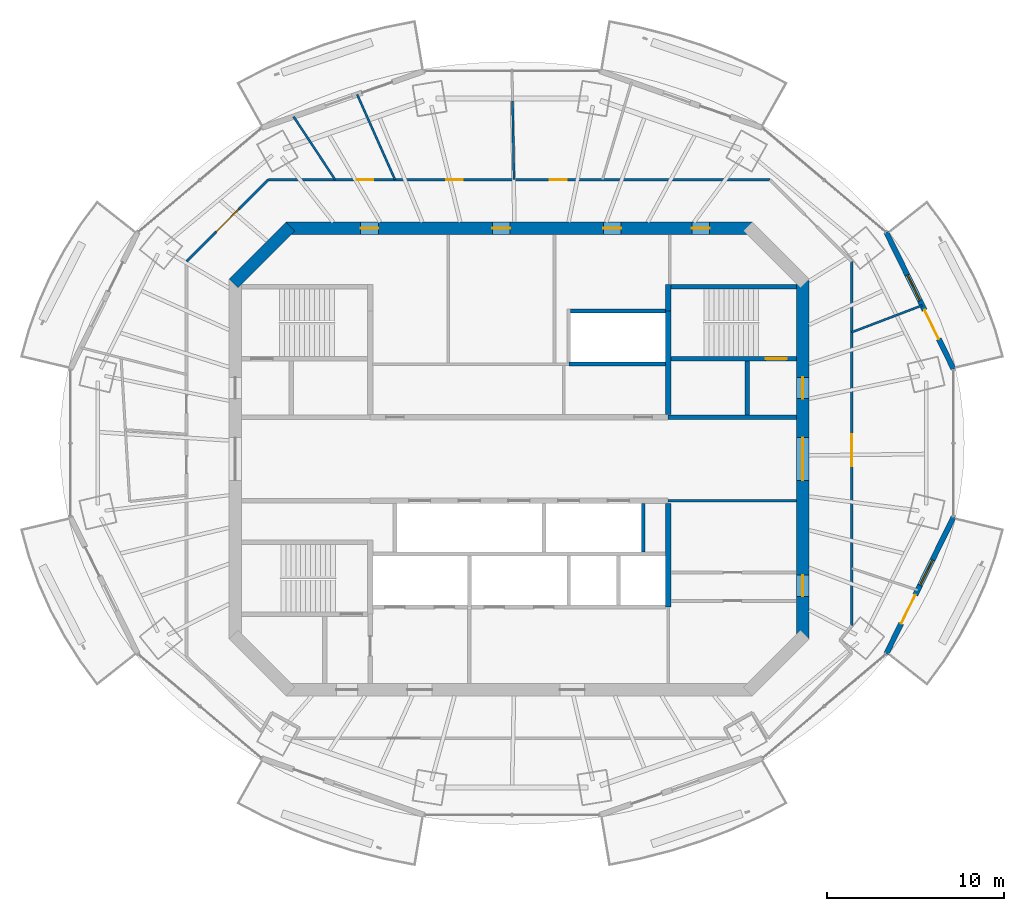
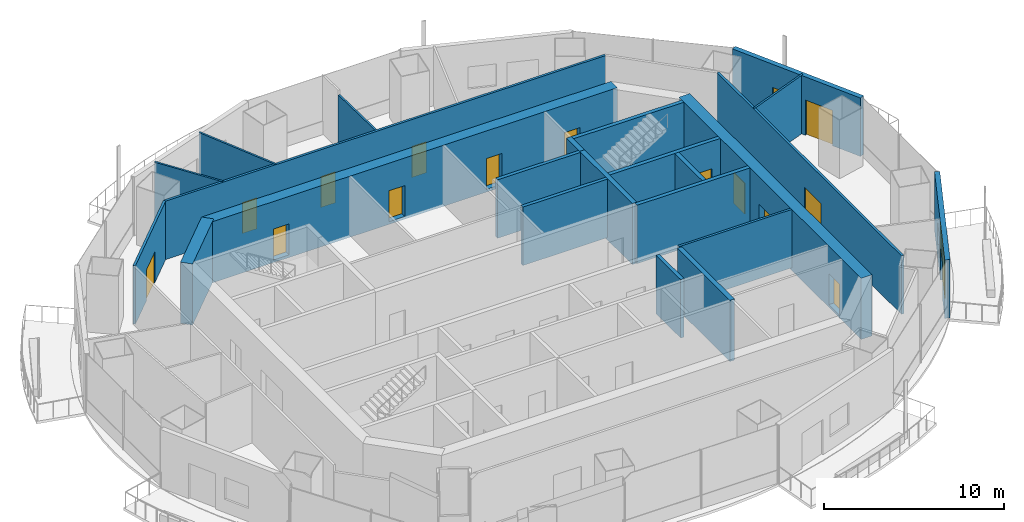
# One storey, part 10 of 15: 23 walls, 15 doors, 2 windows, 17 openings.
"""IFC4 building model written with IfcOpenShell, lengths in metres."""

from ifc_helpers import new_model, si_unit, direction, frame, frame_2d, origin, place, context, subcontext, project, spatial, rectangle, extrude, material, layer, layer_set, type_object, element, fill, save


model = new_model("IFC4")

# Units and contexts
model_context = context("Model", 3, precision=1e-05, world=origin(), true_north=direction((0.0, 1.0)))
body_context = subcontext(model_context, "Body", "Model", "MODEL_VIEW")
ifc_project = project(units=[si_unit("LENGTHUNIT", "METRE"), si_unit("AREAUNIT", "SQUARE_METRE"), si_unit("VOLUMEUNIT", "CUBIC_METRE"), si_unit("PLANEANGLEUNIT", "RADIAN"), si_unit("MASSUNIT", "GRAM", prefix="KILO")], contexts=[model_context])

# Site, building, storey
site_placement = place(None, origin())
site = spatial("IfcSite", under=ifc_project, at=site_placement, CompositionType="ELEMENT")
building_placement = place(site_placement, origin())
building = spatial("IfcBuilding", under=site, at=building_placement, Name="Marenthal Gate Tower", CompositionType="ELEMENT")
storey_placement = place(building_placement, frame((0.0, 0.0, 384.10009765625)))
storey = spatial("IfcBuildingStorey", under=building, at=storey_placement, Name="L87", CompositionType="ELEMENT", Elevation=384.10009765625)

# Wall, openings, doors
ifc_material_1 = material(Name="Concrete 60 MPa", Category="concrete")
ifc_layer_1 = layer(ifc_material_1, 0.699951171875)
ifc_layer_set_1 = layer_set([ifc_layer_1], Name="Core shear wall 700")
wall_type_1 = type_object("IfcWallType", Name="Core shear wall 700", PredefinedType="SHEAR", material=ifc_layer_set_1)
wall_1_placement = place(storey_placement, frame((16.0, -10.14501953125, -0.18017578125), z_axis=(0.0, 0.0, 1.0), x_axis=(0.0, 1.0, 0.0)))
wall_1 = element("IfcWall", 1, at=wall_1_placement, inside=storey, type_object=wall_type_1, Name="Core wall 02", PredefinedType="SHEAR", context=body_context, shape_type="SweptSolid", body=[
    extrude(rectangle(XDim=20.2900390625, YDim=0.699951171875, at=frame_2d((10.14501953125, 0.0))), origin(), (0.0, 0.0, 1.0), 4.150146484375),
])
opening_1_placement = place(wall_1_placement, frame((8.945068359375, 0.0, 0.179931640625)))
opening_1 = element("IfcOpeningElement", 2, at=opening_1_placement, cuts=wall_1, Name="Opening D003.02", PredefinedType="OPENING", context=body_context, shape_type="SweptSolid", body=[
    extrude(rectangle(XDim=2.39990234375, YDim=2.10009765625, at=frame_2d((1.199951171875, 1.050048828125))), frame((0.0, 0.35986328125, 0.0), z_axis=(0.0, -1.0, 0.0), x_axis=(1.0, 0.0, 0.0)), (0.0, 0.0, 1.0), 0.719970703125),
])
opening_2_placement = place(wall_1_placement, frame((13.544921875, 0.0, 0.179931640625)))
opening_2 = element("IfcOpeningElement", 3, at=opening_2_placement, cuts=wall_1, Name="Opening D001.05", PredefinedType="OPENING", context=body_context, shape_type="SweptSolid", body=[
    extrude(rectangle(XDim=1.199951171875, YDim=2.10009765625, at=frame_2d((0.60009765625, 1.050048828125))), frame((0.0, 0.35986328125, 0.0), z_axis=(0.0, -1.0, 0.0), x_axis=(1.0, 0.0, 0.0)), (0.0, 0.0, 1.0), 0.719970703125),
])
opening_3_placement = place(wall_1_placement, frame((2.39990234375, 0.0, 0.179931640625)))
opening_3 = element("IfcOpeningElement", 4, at=opening_3_placement, cuts=wall_1, Name="Opening D006.01", PredefinedType="OPENING", context=body_context, shape_type="SweptSolid", body=[
    extrude(rectangle(XDim=1.199951171875, YDim=2.10009765625, at=frame_2d((0.60009765625, 1.050048828125))), frame((0.0, 0.35986328125, 0.0), z_axis=(0.0, -1.0, 0.0), x_axis=(1.0, 0.0, 0.0)), (0.0, 0.0, 1.0), 0.719970703125),
])
ifc_material_2 = material(Name="Steel fire door", Category="steel")
door_type_1 = type_object("IfcDoorType", Name="Double fire door FD 45 2400 x 2100", OperationType="DOUBLE_DOOR_SINGLE_SWING", PredefinedType="DOOR", material=ifc_material_2)
door_1_placement = place(opening_1_placement, origin())
door_1 = element("IfcDoor", 5, at=door_1_placement, inside=storey, type_object=door_type_1, Name="Door D003.02", OperationType="DOUBLE_DOOR_SINGLE_SWING", OverallHeight=2.10009765625, OverallWidth=2.39990234375, PredefinedType="DOOR", context=body_context, shape_type="SweptSolid", body=[
    extrude(rectangle(XDim=2.39990234375, YDim=2.10009765625, at=frame_2d((1.199951171875, 1.050048828125))), frame((0.0, 0.02490234375, 0.0), z_axis=(0.0, -1.0, 0.0), x_axis=(1.0, 0.0, 0.0)), (0.0, 0.0, 1.0), 0.050048828125),
])
fill(opening_1, door_1)
ifc_material_3 = material(Name="Steel fire door", Category="steel")
door_type_2 = type_object("IfcDoorType", Name="Fire door FD 45 1200 x 2100", OperationType="NOTDEFINED", PredefinedType="DOOR", material=ifc_material_3)
door_2_placement = place(opening_3_placement, origin())
door_2 = element("IfcDoor", 6, at=door_2_placement, inside=storey, type_object=door_type_2, Name="Door D006.01", OperationType="SINGLE_SWING_RIGHT", OverallHeight=2.10009765625, OverallWidth=1.199951171875, PredefinedType="DOOR", context=body_context, shape_type="SweptSolid", body=[
    extrude(rectangle(XDim=1.199951171875, YDim=2.10009765625, at=frame_2d((0.60009765625, 1.050048828125))), frame((0.0, 0.02490234375, 0.0), z_axis=(0.0, -1.0, 0.0), x_axis=(1.0, 0.0, 0.0)), (0.0, 0.0, 1.0), 0.050048828125),
])
fill(opening_3, door_2)
ifc_material_4 = material(Name="Steel fire door", Category="steel")
door_type_3 = type_object("IfcDoorType", Name="Fire door FD 90 1200 x 2100", OperationType="NOTDEFINED", PredefinedType="DOOR", material=ifc_material_4)
door_3_placement = place(opening_2_placement, origin())
door_3 = element("IfcDoor", 7, at=door_3_placement, inside=storey, type_object=door_type_3, Name="Door D001.05", OperationType="SINGLE_SWING_RIGHT", OverallHeight=2.10009765625, OverallWidth=1.199951171875, PredefinedType="DOOR", context=body_context, shape_type="SweptSolid", body=[
    extrude(rectangle(XDim=1.199951171875, YDim=2.10009765625, at=frame_2d((0.60009765625, 1.050048828125))), frame((0.0, 0.02490234375, 0.0), z_axis=(0.0, -1.0, 0.0), x_axis=(1.0, 0.0, 0.0)), (0.0, 0.0, 1.0), 0.050048828125),
])
fill(opening_2, door_3)

wall_2_placement = place(storey_placement, frame((13.14501953125, 13.0, -0.18017578125), z_axis=(0.0, 0.0, 1.0), x_axis=(-1.0, 0.0, 0.0)))
wall_2 = element("IfcWall", 8, at=wall_2_placement, inside=storey, type_object=wall_type_1, Name="Core wall 04", PredefinedType="SHEAR", context=body_context, shape_type="SweptSolid", body=[
    extrude(rectangle(XDim=26.2900390625, YDim=0.699951171875, at=frame_2d((13.14501953125, 0.0))), origin(), (0.0, 0.0, 1.0), 4.150146484375),
])
opening_4_placement = place(wall_2_placement, frame((21.07275390625, 0.0, 0.179931640625)))
opening_4 = element("IfcOpeningElement", 9, at=opening_4_placement, cuts=wall_2, Name="Opening D005.03", PredefinedType="OPENING", context=body_context, shape_type="SweptSolid", body=[
    extrude(rectangle(XDim=1.0, YDim=2.10009765625, at=frame_2d((0.5, 1.050048828125))), frame((0.0, 0.35986328125, 0.0), z_axis=(0.0, -1.0, 0.0), x_axis=(1.0, 0.0, 0.0)), (0.0, 0.0, 1.0), 0.719970703125),
])
opening_5_placement = place(wall_2_placement, frame((13.64501953125, 0.0, 0.179931640625)))
opening_5 = element("IfcOpeningElement", 10, at=opening_5_placement, cuts=wall_2, Name="Opening D005.04", PredefinedType="OPENING", context=body_context, shape_type="SweptSolid", body=[
    extrude(rectangle(XDim=1.0, YDim=2.10009765625, at=frame_2d((0.5, 1.050048828125))), frame((0.0, 0.35986328125, 0.0), z_axis=(0.0, -1.0, 0.0), x_axis=(1.0, 0.0, 0.0)), (0.0, 0.0, 1.0), 0.719970703125),
])
opening_6_placement = place(wall_2_placement, frame((7.39501953125, 0.0, 0.179931640625)))
opening_6 = element("IfcOpeningElement", 11, at=opening_6_placement, cuts=wall_2, Name="Opening D005.05", PredefinedType="OPENING", context=body_context, shape_type="SweptSolid", body=[
    extrude(rectangle(XDim=1.0, YDim=2.10009765625, at=frame_2d((0.5, 1.050048828125))), frame((0.0, 0.35986328125, 0.0), z_axis=(0.0, -1.0, 0.0), x_axis=(1.0, 0.0, 0.0)), (0.0, 0.0, 1.0), 0.719970703125),
])
opening_7_placement = place(wall_2_placement, frame((2.39990234375, 0.0, 0.179931640625)))
opening_7 = element("IfcOpeningElement", 12, at=opening_7_placement, cuts=wall_2, Name="Opening D005.06", PredefinedType="OPENING", context=body_context, shape_type="SweptSolid", body=[
    extrude(rectangle(XDim=1.0, YDim=2.10009765625, at=frame_2d((0.5, 1.050048828125))), frame((0.0, 0.35986328125, 0.0), z_axis=(0.0, -1.0, 0.0), x_axis=(1.0, 0.0, 0.0)), (0.0, 0.0, 1.0), 0.719970703125),
])
ifc_material_5 = material(Name="Steel fire door", Category="steel")
door_type_4 = type_object("IfcDoorType", Name="Fire door FD 45 1000 x 2100", OperationType="NOTDEFINED", PredefinedType="DOOR", material=ifc_material_5)
door_4_placement = place(opening_4_placement, origin())
door_4 = element("IfcDoor", 13, at=door_4_placement, inside=storey, type_object=door_type_4, Name="Door D005.03", OperationType="SINGLE_SWING_RIGHT", OverallHeight=2.10009765625, OverallWidth=1.0, PredefinedType="DOOR", context=body_context, shape_type="SweptSolid", body=[
    extrude(rectangle(XDim=1.0, YDim=2.10009765625, at=frame_2d((0.5, 1.050048828125))), frame((0.0, 0.02490234375, 0.0), z_axis=(0.0, -1.0, 0.0), x_axis=(1.0, 0.0, 0.0)), (0.0, 0.0, 1.0), 0.050048828125),
])
fill(opening_4, door_4)
door_5_placement = place(opening_5_placement, origin())
door_5 = element("IfcDoor", 14, at=door_5_placement, inside=storey, type_object=door_type_4, Name="Door D005.04", OperationType="SINGLE_SWING_RIGHT", OverallHeight=2.10009765625, OverallWidth=1.0, PredefinedType="DOOR", context=body_context, shape_type="SweptSolid", body=[
    extrude(rectangle(XDim=1.0, YDim=2.10009765625, at=frame_2d((0.5, 1.050048828125))), frame((0.0, 0.02490234375, 0.0), z_axis=(0.0, -1.0, 0.0), x_axis=(1.0, 0.0, 0.0)), (0.0, 0.0, 1.0), 0.050048828125),
])
fill(opening_5, door_5)
door_6_placement = place(opening_6_placement, origin())
door_6 = element("IfcDoor", 15, at=door_6_placement, inside=storey, type_object=door_type_4, Name="Door D005.05", OperationType="SINGLE_SWING_RIGHT", OverallHeight=2.10009765625, OverallWidth=1.0, PredefinedType="DOOR", context=body_context, shape_type="SweptSolid", body=[
    extrude(rectangle(XDim=1.0, YDim=2.10009765625, at=frame_2d((0.5, 1.050048828125))), frame((0.0, 0.02490234375, 0.0), z_axis=(0.0, -1.0, 0.0), x_axis=(1.0, 0.0, 0.0)), (0.0, 0.0, 1.0), 0.050048828125),
])
fill(opening_6, door_6)
door_7_placement = place(opening_7_placement, origin())
door_7 = element("IfcDoor", 16, at=door_7_placement, inside=storey, type_object=door_type_4, Name="Door D005.06", OperationType="SINGLE_SWING_RIGHT", OverallHeight=2.10009765625, OverallWidth=1.0, PredefinedType="DOOR", context=body_context, shape_type="SweptSolid", body=[
    extrude(rectangle(XDim=1.0, YDim=2.10009765625, at=frame_2d((0.5, 1.050048828125))), frame((0.0, 0.02490234375, 0.0), z_axis=(0.0, -1.0, 0.0), x_axis=(1.0, 0.0, 0.0)), (0.0, 0.0, 1.0), 0.050048828125),
])
fill(opening_7, door_7)

# Walls
wall_3_placement = place(storey_placement, frame((-12.8974609375, 13.1025390625, -0.18017578125), z_axis=(0.0, 0.0, 1.0), x_axis=(-0.707106781187, -0.707106781187, 0.0)))
element("IfcWall", 17, at=wall_3_placement, inside=storey, type_object=wall_type_1, Name="Core wall 05", PredefinedType="SHEAR", context=body_context, shape_type="SweptSolid", body=[
    extrude(rectangle(XDim=4.53271484375, YDim=0.699951171875, at=frame_2d((2.266357421875, 0.0))), origin(), (0.0, 0.0, 1.0), 4.150146484375),
])
ifc_material_6 = material(Name="Concrete 50 MPa", Category="concrete")
ifc_layer_2 = layer(ifc_material_6, 0.300048828125)
ifc_layer_set_2 = layer_set([ifc_layer_2], Name="Hoistway shear wall 300")
wall_type_2 = type_object("IfcWallType", Name="Hoistway shear wall 300", PredefinedType="SHEAR", material=ifc_layer_set_2)
for number, where, z_axis, x_axis, name in (
    (18, (8.39990234375, -8.35009765625, -0.18017578125), (0.0, 0.0, 1.0), (0.0, 1.0, 0.0), "Hoistway wall 47"),
    (19, (8.39990234375, 2.5, -0.18017578125), (0.0, 0.0, 1.0), (0.0, 1.0, 0.0), "Hoistway wall 48"),
):
    element("IfcWall", number, at=place(storey_placement, frame(where, z_axis=z_axis, x_axis=x_axis)), inside=storey, type_object=wall_type_2, Name=name, PredefinedType="SHEAR", context=body_context, shape_type="SweptSolid", body=[
        extrude(rectangle(XDim=5.85009765625, YDim=0.300048828125, at=frame_2d((2.925048828125, 0.0))), origin(), (0.0, 0.0, 1.0), 4.150146484375),
    ])
ifc_material_7 = material(Name="Concrete 40 MPa", Category="concrete")
ifc_layer_3 = layer(ifc_material_7, 0.219970703125)
ifc_layer_set_3 = layer_set([ifc_layer_3], Name="Hoistway wall 220")
wall_type_3 = type_object("IfcWallType", Name="Hoistway wall 220", PredefinedType="STANDARD", material=ifc_layer_set_3)
wall_4_placement = place(storey_placement, frame((2.800048828125, 5.35009765625, 0.0), z_axis=(0.0, 0.0, 1.0), x_axis=(1.0, 0.0, 0.0)))
element("IfcWall", 20, at=wall_4_placement, inside=storey, type_object=wall_type_3, Name="Hoistway wall 23", PredefinedType="STANDARD", context=body_context, shape_type="SweptSolid", body=[
    extrude(rectangle(XDim=5.449951171875, YDim=0.219970703125, at=frame_2d((2.72509765625, 0.0))), origin(), (0.0, 0.0, 1.0), 3.969970703125),
])
wall_5_placement = place(storey_placement, frame((2.909912109375, 8.35009765625, 0.0), z_axis=(0.0, 0.0, 1.0), x_axis=(1.0, 0.0, 0.0)))
element("IfcWall", 21, at=wall_5_placement, inside=storey, type_object=wall_type_3, Name="Hoistway wall 26", PredefinedType="STANDARD", context=body_context, shape_type="SweptSolid", body=[
    extrude(rectangle(XDim=5.340087890625, YDim=0.219970703125, at=frame_2d((2.669921875, 0.0))), origin(), (0.0, 0.0, 1.0), 3.969970703125),
])
wall_6_placement = place(storey_placement, frame((7.0, -5.239990234375, 0.0), z_axis=(0.0, 0.0, 1.0), x_axis=(0.0, 1.0, 0.0)))
element("IfcWall", 22, at=wall_6_placement, inside=storey, type_object=wall_type_3, Name="Hoistway wall 45", PredefinedType="STANDARD", context=body_context, shape_type="SweptSolid", body=[
    extrude(rectangle(XDim=2.739990234375, YDim=0.219970703125, at=frame_2d((1.3701171875, 0.0))), origin(), (0.0, 0.0, 1.0), 3.969970703125),
])
ifc_material_8 = material(Name="Gypsum board on steel studs", Category="steel")
ifc_layer_4 = layer(ifc_material_8, 0.1201171875)
ifc_layer_set_4 = layer_set([ifc_layer_4], Name="Partition 120")
wall_type_4 = type_object("IfcWallType", Name="Partition 120", PredefinedType="PARTITIONING", material=ifc_layer_set_4)
wall_7_placement = place(storey_placement, frame((-10.37255859375, 15.75, 0.0), z_axis=(0.0, 0.0, 1.0), x_axis=(-0.550014013295, 0.835155425762, 0.0)))
element("IfcWall", 23, at=wall_7_placement, inside=storey, type_object=wall_type_4, Name="Partition wall 63", PredefinedType="PARTITIONING", context=body_context, shape_type="SweptSolid", body=[
    extrude(rectangle(XDim=4.251953125, YDim=0.1201171875, at=frame_2d((2.1259765625, 0.0))), origin(), (0.0, 0.0, 1.0), 3.969970703125),
])
wall_8_placement = place(storey_placement, frame((-6.99560546875, 15.75, 0.0), z_axis=(0.0, 0.0, 1.0), x_axis=(-0.405909939035, 0.913913081968, 0.0)))
element("IfcWall", 24, at=wall_8_placement, inside=storey, type_object=wall_type_4, Name="Partition wall 64", PredefinedType="PARTITIONING", context=body_context, shape_type="SweptSolid", body=[
    extrude(rectangle(XDim=5.25390625, YDim=0.1201171875, at=frame_2d((2.626953125, 0.0))), origin(), (0.0, 0.0, 1.0), 3.969970703125),
])
wall_9_placement = place(storey_placement, frame((-0.2880859375, 15.75, 0.0), z_axis=(0.0, 0.0, 1.0), x_axis=(-0.018290966414, 0.99983270628, 0.0)))
element("IfcWall", 25, at=wall_9_placement, inside=storey, type_object=wall_type_4, Name="Partition wall 65", PredefinedType="PARTITIONING", context=body_context, shape_type="SweptSolid", body=[
    extrude(rectangle(XDim=4.431396484375, YDim=0.1201171875, at=frame_2d((2.2158203125, 0.0))), origin(), (0.0, 0.0, 1.0), 3.659912109375),
])
wall_10_placement = place(storey_placement, frame((18.75, 7.14501953125, 0.0), z_axis=(0.0, 0.0, 1.0), x_axis=(0.934470468692, 0.35604064816, 0.0)))
element("IfcWall", 26, at=wall_10_placement, inside=storey, type_object=wall_type_4, Name="Partition wall 76", PredefinedType="PARTITIONING", context=body_context, shape_type="SweptSolid", body=[
    extrude(rectangle(XDim=4.256103515625, YDim=0.1201171875, at=frame_2d((2.1279296875, 0.0))), origin(), (0.0, 0.0, 1.0), 3.969970703125),
])
ifc_material_9 = material(Name="Gypsum board on steel studs", Category="steel")
ifc_layer_5 = layer(ifc_material_9, 0.14990234375)
ifc_layer_set_5 = layer_set([ifc_layer_5], Name="Partition 150")
wall_type_5 = type_object("IfcWallType", Name="Partition 150", PredefinedType="PARTITIONING", material=ifc_layer_set_5)
wall_11_placement = place(storey_placement, frame((8.39990234375, -2.35009765625, 0.0), z_axis=(0.0, 0.0, 1.0), x_axis=(1.0, 0.0, 0.0)))
element("IfcWall", 27, at=wall_11_placement, inside=storey, type_object=wall_type_5, Name="Partition wall 18", PredefinedType="PARTITIONING", context=body_context, shape_type="SweptSolid", body=[
    extrude(rectangle(XDim=7.25, YDim=0.14990234375, at=frame_2d((3.625, 0.0))), origin(), (0.0, 0.0, 1.0), 3.969970703125),
])

# Wall, opening, door
wall_12_placement = place(storey_placement, frame((-18.75, 11.13916015625, 0.0), z_axis=(0.0, 0.0, 1.0), x_axis=(0.707106781187, 0.707106781187, 0.0)))
wall_12 = element("IfcWall", 28, at=wall_12_placement, inside=storey, type_object=wall_type_5, Name="Partition wall 57", PredefinedType="PARTITIONING", context=body_context, shape_type="SweptSolid", body=[
    extrude(rectangle(XDim=6.520751953125, YDim=0.14990234375, at=frame_2d((3.26025390625, 0.0))), origin(), (0.0, 0.0, 1.0), 3.969970703125),
])
opening_8_placement = place(wall_12_placement, frame((2.360107421875, 0.0, 0.0)))
opening_8 = element("IfcOpeningElement", 29, at=opening_8_placement, cuts=wall_12, Name="Opening D014.01", PredefinedType="OPENING", context=body_context, shape_type="SweptSolid", body=[
    extrude(rectangle(XDim=1.800048828125, YDim=2.10009765625, at=frame_2d((0.89990234375, 1.050048828125))), frame((0.0, 0.0849609375, 0.0), z_axis=(0.0, -1.0, 0.0), x_axis=(1.0, 0.0, 0.0)), (0.0, 0.0, 1.0), 0.169921875),
])
ifc_material_10 = material(Name="Timber door", Category="wood")
door_type_5 = type_object("IfcDoorType", Name="Double door 1800 x 2100", OperationType="DOUBLE_DOOR_SINGLE_SWING", PredefinedType="DOOR", material=ifc_material_10)
door_8_placement = place(opening_8_placement, origin())
door_8 = element("IfcDoor", 30, at=door_8_placement, inside=storey, type_object=door_type_5, Name="Door D014.01", OperationType="DOUBLE_DOOR_SINGLE_SWING", OverallHeight=2.10009765625, OverallWidth=1.800048828125, PredefinedType="DOOR", context=body_context, shape_type="SweptSolid", body=[
    extrude(rectangle(XDim=1.800048828125, YDim=2.10009765625, at=frame_2d((0.89990234375, 1.050048828125))), frame((0.0, 0.02490234375, 0.0), z_axis=(0.0, -1.0, 0.0), x_axis=(1.0, 0.0, 0.0)), (0.0, 0.0, 1.0), 0.050048828125),
])
fill(opening_8, door_8)

# Wall, openings, doors
wall_13_placement = place(storey_placement, frame((-14.13916015625, 15.75, 0.0), z_axis=(0.0, 0.0, 1.0), x_axis=(1.0, 0.0, 0.0)))
wall_13 = element("IfcWall", 31, at=wall_13_placement, inside=storey, type_object=wall_type_5, Name="Partition wall 59", PredefinedType="PARTITIONING", context=body_context, shape_type="SweptSolid", body=[
    extrude(rectangle(XDim=28.2783203125, YDim=0.14990234375, at=frame_2d((14.13916015625, 0.0))), origin(), (0.0, 0.0, 1.0), 3.969970703125),
])
opening_9_placement = place(wall_13_placement, frame((15.87109375, 0.0, 0.0)))
opening_9 = element("IfcOpeningElement", 32, at=opening_9_placement, cuts=wall_13, Name="Opening D016.02", PredefinedType="OPENING", context=body_context, shape_type="SweptSolid", body=[
    extrude(rectangle(XDim=0.949951171875, YDim=2.10009765625, at=frame_2d((0.47509765625, 1.050048828125))), frame((0.0, 0.0849609375, 0.0), z_axis=(0.0, -1.0, 0.0), x_axis=(1.0, 0.0, 0.0)), (0.0, 0.0, 1.0), 0.169921875),
])
opening_10_placement = place(wall_13_placement, frame((10.02197265625, 0.0, 0.0)))
opening_10 = element("IfcOpeningElement", 33, at=opening_10_placement, cuts=wall_13, Name="Opening D016.03", PredefinedType="OPENING", context=body_context, shape_type="SweptSolid", body=[
    extrude(rectangle(XDim=0.949951171875, YDim=2.10009765625, at=frame_2d((0.47509765625, 1.050048828125))), frame((0.0, 0.0849609375, 0.0), z_axis=(0.0, -1.0, 0.0), x_axis=(1.0, 0.0, 0.0)), (0.0, 0.0, 1.0), 0.169921875),
])
opening_11_placement = place(wall_13_placement, frame((4.97998046875, 0.0, 0.0)))
opening_11 = element("IfcOpeningElement", 34, at=opening_11_placement, cuts=wall_13, Name="Opening D016.04", PredefinedType="OPENING", context=body_context, shape_type="SweptSolid", body=[
    extrude(rectangle(XDim=0.949951171875, YDim=2.10009765625, at=frame_2d((0.47509765625, 1.050048828125))), frame((0.0, 0.0849609375, 0.0), z_axis=(0.0, -1.0, 0.0), x_axis=(1.0, 0.0, 0.0)), (0.0, 0.0, 1.0), 0.169921875),
])
ifc_material_11 = material(Name="Timber door", Category="wood")
door_type_6 = type_object("IfcDoorType", Name="Door 950 x 2100", OperationType="NOTDEFINED", PredefinedType="DOOR", material=ifc_material_11)
door_9_placement = place(opening_9_placement, origin())
door_9 = element("IfcDoor", 35, at=door_9_placement, inside=storey, type_object=door_type_6, Name="Door D016.02", OperationType="SINGLE_SWING_RIGHT", OverallHeight=2.10009765625, OverallWidth=0.949951171875, PredefinedType="DOOR", context=body_context, shape_type="SweptSolid", body=[
    extrude(rectangle(XDim=0.949951171875, YDim=2.10009765625, at=frame_2d((0.47509765625, 1.050048828125))), frame((0.0, 0.02490234375, 0.0), z_axis=(0.0, -1.0, 0.0), x_axis=(1.0, 0.0, 0.0)), (0.0, 0.0, 1.0), 0.050048828125),
])
fill(opening_9, door_9)
door_10_placement = place(opening_10_placement, origin())
door_10 = element("IfcDoor", 36, at=door_10_placement, inside=storey, type_object=door_type_6, Name="Door D016.03", OperationType="SINGLE_SWING_RIGHT", OverallHeight=2.10009765625, OverallWidth=0.949951171875, PredefinedType="DOOR", context=body_context, shape_type="SweptSolid", body=[
    extrude(rectangle(XDim=0.949951171875, YDim=2.10009765625, at=frame_2d((0.47509765625, 1.050048828125))), frame((0.0, 0.02490234375, 0.0), z_axis=(0.0, -1.0, 0.0), x_axis=(1.0, 0.0, 0.0)), (0.0, 0.0, 1.0), 0.050048828125),
])
fill(opening_10, door_10)
door_11_placement = place(opening_11_placement, origin())
door_11 = element("IfcDoor", 37, at=door_11_placement, inside=storey, type_object=door_type_6, Name="Door D016.04", OperationType="SINGLE_SWING_RIGHT", OverallHeight=2.10009765625, OverallWidth=0.949951171875, PredefinedType="DOOR", context=body_context, shape_type="SweptSolid", body=[
    extrude(rectangle(XDim=0.949951171875, YDim=2.10009765625, at=frame_2d((0.47509765625, 1.050048828125))), frame((0.0, 0.02490234375, 0.0), z_axis=(0.0, -1.0, 0.0), x_axis=(1.0, 0.0, 0.0)), (0.0, 0.0, 1.0), 0.050048828125),
])
fill(opening_11, door_11)

# Wall, opening, door
wall_14_placement = place(storey_placement, frame((18.75, 11.13916015625, 0.0), z_axis=(0.0, 0.0, 1.0), x_axis=(0.0, -1.0, 0.0)))
wall_14 = element("IfcWall", 38, at=wall_14_placement, inside=storey, type_object=wall_type_5, Name="Partition wall 77", PredefinedType="PARTITIONING", context=body_context, shape_type="SweptSolid", body=[
    extrude(rectangle(XDim=20.51806640625, YDim=0.14990234375, at=frame_2d((10.259033203125, 0.0))), origin(), (0.0, 0.0, 1.0), 3.969970703125),
])
opening_12_placement = place(wall_14_placement, frame((9.75, 0.0, 0.0)))
opening_12 = element("IfcOpeningElement", 39, at=opening_12_placement, cuts=wall_14, Name="Opening D014.03", PredefinedType="OPENING", context=body_context, shape_type="SweptSolid", body=[
    extrude(rectangle(XDim=1.800048828125, YDim=2.10009765625, at=frame_2d((0.89990234375, 1.050048828125))), frame((0.0, 0.0849609375, 0.0), z_axis=(0.0, -1.0, 0.0), x_axis=(1.0, 0.0, 0.0)), (0.0, 0.0, 1.0), 0.169921875),
])
door_12_placement = place(opening_12_placement, origin())
door_12 = element("IfcDoor", 40, at=door_12_placement, inside=storey, type_object=door_type_5, Name="Door D014.03", OperationType="DOUBLE_DOOR_SINGLE_SWING", OverallHeight=2.10009765625, OverallWidth=1.800048828125, PredefinedType="DOOR", context=body_context, shape_type="SweptSolid", body=[
    extrude(rectangle(XDim=1.800048828125, YDim=2.10009765625, at=frame_2d((0.89990234375, 1.050048828125))), frame((0.0, 0.02490234375, 0.0), z_axis=(0.0, -1.0, 0.0), x_axis=(1.0, 0.0, 0.0)), (0.0, 0.0, 1.0), 0.050048828125),
])
fill(opening_12, door_12)

# Walls
ifc_material_12 = material(Name="Concrete 40 MPa", Category="concrete")
ifc_layer_6 = layer(ifc_material_12, 0.25)
ifc_layer_set_6 = layer_set([ifc_layer_6], Name="Stair enclosure wall 250")
wall_type_6 = type_object("IfcWallType", Name="Stair enclosure wall 250", PredefinedType="STANDARD", material=ifc_layer_set_6)
wall_15_placement = place(storey_placement, frame((8.39990234375, 2.35009765625, 0.0), z_axis=(0.0, 0.0, 1.0), x_axis=(1.0, 0.0, 0.0)))
element("IfcWall", 41, at=wall_15_placement, inside=storey, type_object=wall_type_6, Name="Stair wall 21", PredefinedType="STANDARD", context=body_context, shape_type="SweptSolid", body=[
    extrude(rectangle(XDim=7.25, YDim=0.25, at=frame_2d((3.625, 0.0))), origin(), (0.0, 0.0, 1.0), 3.969970703125),
])
wall_16_placement = place(storey_placement, frame((12.85009765625, 2.47509765625, 0.0), z_axis=(0.0, 0.0, 1.0), x_axis=(0.0, 1.0, 0.0)))
element("IfcWall", 42, at=wall_16_placement, inside=storey, type_object=wall_type_6, Name="Stair wall 51", PredefinedType="STANDARD", context=body_context, shape_type="SweptSolid", body=[
    extrude(rectangle(XDim=3.0498046875, YDim=0.25, at=frame_2d((1.52490234375, 0.0))), origin(), (0.0, 0.0, 1.0), 3.969970703125),
])

# Wall, opening, door
ifc_material_13 = material(Name="Concrete 50 MPa", Category="concrete")
ifc_layer_7 = layer(ifc_material_13, 0.25)
ifc_layer_set_7 = layer_set([ifc_layer_7], Name="Stair shear wall 250")
wall_type_7 = type_object("IfcWallType", Name="Stair shear wall 250", PredefinedType="SHEAR", material=ifc_layer_set_7)
wall_17_placement = place(storey_placement, frame((8.550048828125, 5.64990234375, -0.18017578125), z_axis=(0.0, 0.0, 1.0), x_axis=(1.0, 0.0, 0.0)))
wall_17 = element("IfcWall", 43, at=wall_17_placement, inside=storey, type_object=wall_type_7, Name="Stair wall 25", PredefinedType="SHEAR", context=body_context, shape_type="SweptSolid", body=[
    extrude(rectangle(XDim=7.099853515625, YDim=0.25, at=frame_2d((3.5498046875, 0.0))), origin(), (0.0, 0.0, 1.0), 4.150146484375),
])
opening_13_placement = place(wall_17_placement, frame((5.35009765625, 0.0, 0.179931640625)))
opening_13 = element("IfcOpeningElement", 44, at=opening_13_placement, cuts=wall_17, Name="Opening D001.02", PredefinedType="OPENING", context=body_context, shape_type="SweptSolid", body=[
    extrude(rectangle(XDim=1.199951171875, YDim=2.10009765625, at=frame_2d((0.60009765625, 1.050048828125))), frame((0.0, 0.135009765625, 0.0), z_axis=(0.0, -1.0, 0.0), x_axis=(1.0, 0.0, 0.0)), (0.0, 0.0, 1.0), 0.27001953125),
])
door_13_placement = place(opening_13_placement, origin())
door_13 = element("IfcDoor", 45, at=door_13_placement, inside=storey, type_object=door_type_3, Name="Door D001.02", OperationType="SINGLE_SWING_RIGHT", OverallHeight=2.10009765625, OverallWidth=1.199951171875, PredefinedType="DOOR", context=body_context, shape_type="SweptSolid", body=[
    extrude(rectangle(XDim=1.199951171875, YDim=2.10009765625, at=frame_2d((0.60009765625, 1.050048828125))), frame((0.0, 0.02490234375, 0.0), z_axis=(0.0, -1.0, 0.0), x_axis=(1.0, 0.0, 0.0)), (0.0, 0.0, 1.0), 0.050048828125),
])
fill(opening_13, door_13)

# Walls
wall_18_placement = place(storey_placement, frame((8.550048828125, 9.699951171875, -0.18017578125), z_axis=(0.0, 0.0, 1.0), x_axis=(1.0, 0.0, 0.0)))
element("IfcWall", 46, at=wall_18_placement, inside=storey, type_object=wall_type_7, Name="Stair wall 28", PredefinedType="SHEAR", context=body_context, shape_type="SweptSolid", body=[
    extrude(rectangle(XDim=7.099853515625, YDim=0.25, at=frame_2d((3.5498046875, 0.0))), origin(), (0.0, 0.0, 1.0), 4.150146484375),
])
ifc_material_14 = material(Name="Concrete 50 MPa", Category="concrete")
ifc_layer_8 = layer(ifc_material_14, 0.300048828125)
ifc_layer_set_8 = layer_set([ifc_layer_8], Name="Stair shear wall 300")
wall_type_8 = type_object("IfcWallType", Name="Stair shear wall 300", PredefinedType="SHEAR", material=ifc_layer_set_8)
wall_19_placement = place(storey_placement, frame((8.39990234375, 8.35009765625, -0.18017578125), z_axis=(0.0, 0.0, 1.0), x_axis=(0.0, 1.0, 0.0)))
element("IfcWall", 47, at=wall_19_placement, inside=storey, type_object=wall_type_8, Name="Stair wall 49", PredefinedType="SHEAR", context=body_context, shape_type="SweptSolid", body=[
    extrude(rectangle(XDim=1.474853515625, YDim=0.300048828125, at=frame_2d((0.7373046875, 0.0))), origin(), (0.0, 0.0, 1.0), 4.150146484375),
])

# Wall, openings, door, window
ifc_material_15 = material(Name="Terracotta cladding on insulated concrete-block backing", Category="masonry")
ifc_layer_9 = layer(ifc_material_15, 0.300048828125)
ifc_layer_set_9 = layer_set([ifc_layer_9], Name="Terracotta facade wall 300")
wall_type_9 = type_object("IfcWallType", Name="Terracotta facade wall 300", PredefinedType="SOLIDWALL", material=ifc_layer_set_9)
wall_20_placement = place(storey_placement, frame((24.4921875, 5.071044921875, 0.0), z_axis=(0.0, 0.0, 1.0), x_axis=(-0.441245353493, 0.897386504256, 0.0)))
wall_20 = element("IfcWall", 48, at=wall_20_placement, inside=storey, type_object=wall_type_9, Name="Terracotta facade wall L87 bay 1", PredefinedType="SOLIDWALL", context=body_context, shape_type="SweptSolid", body=[
    extrude(rectangle(XDim=8.58837890625, YDim=0.300048828125, at=frame_2d((4.294189453125, 0.0))), origin(), (0.0, 0.0, 1.0), 3.969970703125),
])
opening_14_placement = place(wall_20_placement, frame((1.89990234375, 0.0, 0.0)))
opening_14 = element("IfcOpeningElement", 49, at=opening_14_placement, cuts=wall_20, Name="Opening BD-L87-01", PredefinedType="OPENING", context=body_context, shape_type="SweptSolid", body=[
    extrude(rectangle(XDim=1.800048828125, YDim=2.39990234375, at=frame_2d((0.89990234375, 1.199951171875))), frame((0.0, 0.16015625, 0.0), z_axis=(0.0, -1.0, 0.0), x_axis=(1.0, 0.0, 0.0)), (0.0, 0.0, 1.0), 0.320068359375),
])
opening_15_placement = place(wall_20_placement, frame((4.300048828125, 0.0, 0.89990234375)))
opening_15 = element("IfcOpeningElement", 50, at=opening_15_placement, cuts=wall_20, Name="Opening WN3-L87-01", PredefinedType="OPENING", context=body_context, shape_type="SweptSolid", body=[
    extrude(rectangle(XDim=1.60009765625, YDim=1.5, at=frame_2d((0.800048828125, 0.75))), frame((0.0, 0.16015625, 0.0), z_axis=(0.0, -1.0, 0.0), x_axis=(1.0, 0.0, 0.0)), (0.0, 0.0, 1.0), 0.320068359375),
])
ifc_material_16 = material(Name="Aluminium and glass", Category="aluminium")
door_type_7 = type_object("IfcDoorType", Name="Balcony door 1800x2400", OperationType="DOUBLE_DOOR_SINGLE_SWING", PredefinedType="DOOR", material=ifc_material_16)
door_14_placement = place(opening_14_placement, origin())
door_14 = element("IfcDoor", 51, at=door_14_placement, inside=storey, type_object=door_type_7, Name="Balcony door L87 bay 1", OperationType="SINGLE_SWING_LEFT", OverallHeight=2.39990234375, OverallWidth=1.800048828125, PredefinedType="DOOR", context=body_context, shape_type="SweptSolid", body=[
    extrude(rectangle(XDim=1.800048828125, YDim=2.39990234375, at=frame_2d((0.89990234375, 1.199951171875))), frame((0.0, 0.02490234375, 0.0), z_axis=(0.0, -1.0, 0.0), x_axis=(1.0, 0.0, 0.0)), (0.0, 0.0, 1.0), 0.050048828125),
])
fill(opening_14, door_14)
ifc_material_17 = material(Name="Aluminium and glass", Category="aluminium")
window_type = type_object("IfcWindowType", Name="Window 1600x1500", PartitioningType="DOUBLE_PANEL_VERTICAL", PredefinedType="WINDOW", material=ifc_material_17)
window_1_placement = place(opening_15_placement, origin())
window_1 = element("IfcWindow", 52, at=window_1_placement, inside=storey, type_object=window_type, Name="Window L87 bay 1", OverallHeight=1.5, OverallWidth=1.60009765625, PartitioningType="SINGLE_PANEL", PredefinedType="WINDOW", context=body_context, shape_type="SweptSolid", body=[
    extrude(rectangle(XDim=1.60009765625, YDim=1.5, at=frame_2d((0.800048828125, 0.75))), frame((0.0, 0.030029296875, 0.0), z_axis=(0.0, -1.0, 0.0), x_axis=(1.0, 0.0, 0.0)), (0.0, 0.0, 1.0), 0.06005859375),
])
fill(opening_15, window_1)

wall_21_placement = place(storey_placement, frame((20.70263671875, -10.97802734375, 0.0), z_axis=(0.0, 0.0, 1.0), x_axis=(0.441245353493, 0.897386504256, 0.0)))
wall_21 = element("IfcWall", 53, at=wall_21_placement, inside=storey, type_object=wall_type_9, Name="Terracotta facade wall L87 bay 15", PredefinedType="SOLIDWALL", context=body_context, shape_type="SweptSolid", body=[
    extrude(rectangle(XDim=8.58837890625, YDim=0.300048828125, at=frame_2d((4.294189453125, 0.0))), origin(), (0.0, 0.0, 1.0), 3.969970703125),
])
opening_16_placement = place(wall_21_placement, frame((1.89990234375, 0.0, 0.0)))
opening_16 = element("IfcOpeningElement", 54, at=opening_16_placement, cuts=wall_21, Name="Opening BD-L87-15", PredefinedType="OPENING", context=body_context, shape_type="SweptSolid", body=[
    extrude(rectangle(XDim=1.800048828125, YDim=2.39990234375, at=frame_2d((0.89990234375, 1.199951171875))), frame((0.0, 0.16015625, 0.0), z_axis=(0.0, -1.0, 0.0), x_axis=(1.0, 0.0, 0.0)), (0.0, 0.0, 1.0), 0.320068359375),
])
opening_17_placement = place(wall_21_placement, frame((4.300048828125, 0.0, 0.89990234375)))
opening_17 = element("IfcOpeningElement", 55, at=opening_17_placement, cuts=wall_21, Name="Opening WN3-L87-15", PredefinedType="OPENING", context=body_context, shape_type="SweptSolid", body=[
    extrude(rectangle(XDim=1.60009765625, YDim=1.5, at=frame_2d((0.800048828125, 0.75))), frame((0.0, 0.16015625, 0.0), z_axis=(0.0, -1.0, 0.0), x_axis=(1.0, 0.0, 0.0)), (0.0, 0.0, 1.0), 0.320068359375),
])
door_15_placement = place(opening_16_placement, origin())
door_15 = element("IfcDoor", 56, at=door_15_placement, inside=storey, type_object=door_type_7, Name="Balcony door L87 bay 15", OperationType="SINGLE_SWING_LEFT", OverallHeight=2.39990234375, OverallWidth=1.800048828125, PredefinedType="DOOR", context=body_context, shape_type="SweptSolid", body=[
    extrude(rectangle(XDim=1.800048828125, YDim=2.39990234375, at=frame_2d((0.89990234375, 1.199951171875))), frame((0.0, 0.02490234375, 0.0), z_axis=(0.0, -1.0, 0.0), x_axis=(1.0, 0.0, 0.0)), (0.0, 0.0, 1.0), 0.050048828125),
])
fill(opening_16, door_15)
window_2_placement = place(opening_17_placement, origin())
window_2 = element("IfcWindow", 57, at=window_2_placement, inside=storey, type_object=window_type, Name="Window L87 bay 15", OverallHeight=1.5, OverallWidth=1.60009765625, PartitioningType="SINGLE_PANEL", PredefinedType="WINDOW", context=body_context, shape_type="SweptSolid", body=[
    extrude(rectangle(XDim=1.60009765625, YDim=1.5, at=frame_2d((0.800048828125, 0.75))), frame((0.0, 0.030029296875, 0.0), z_axis=(0.0, -1.0, 0.0), x_axis=(1.0, 0.0, 0.0)), (0.0, 0.0, 1.0), 0.06005859375),
])
fill(opening_17, window_2)

save(model, "model.ifc")
